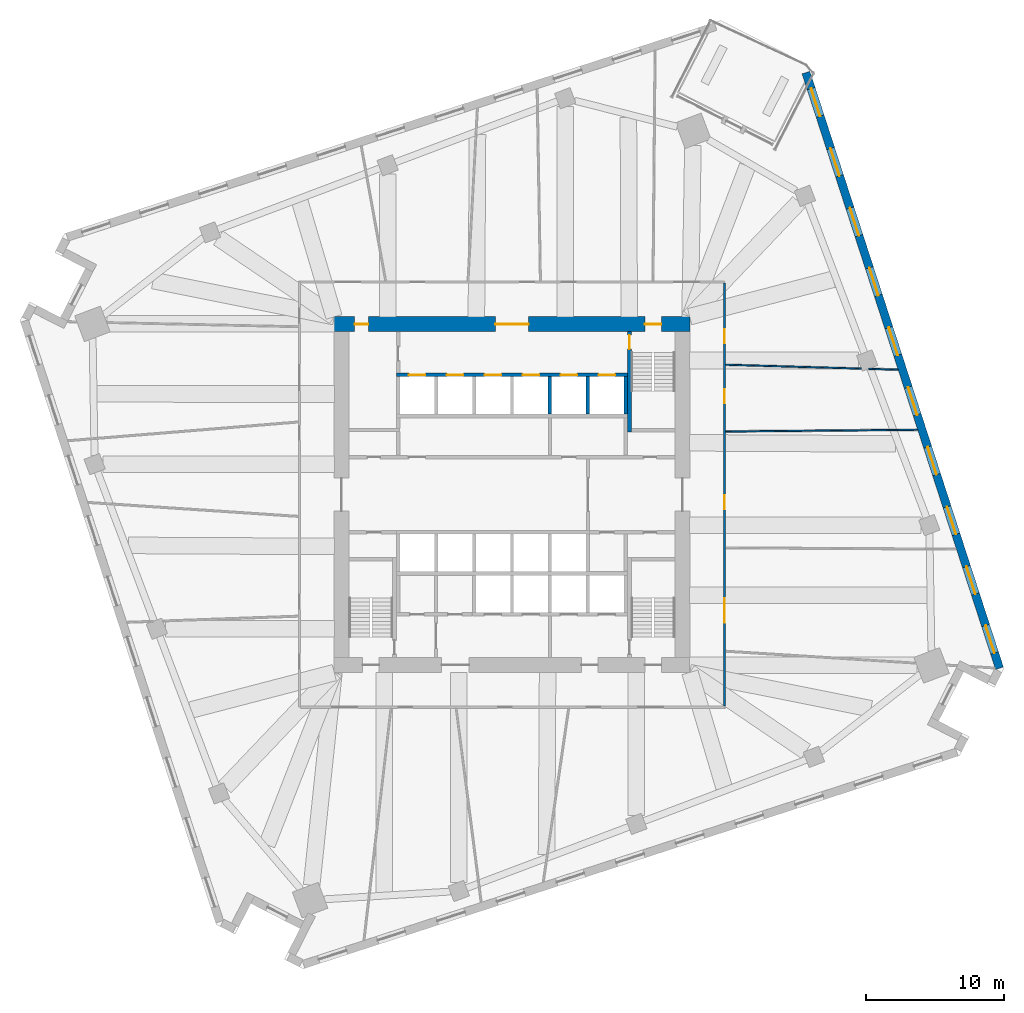
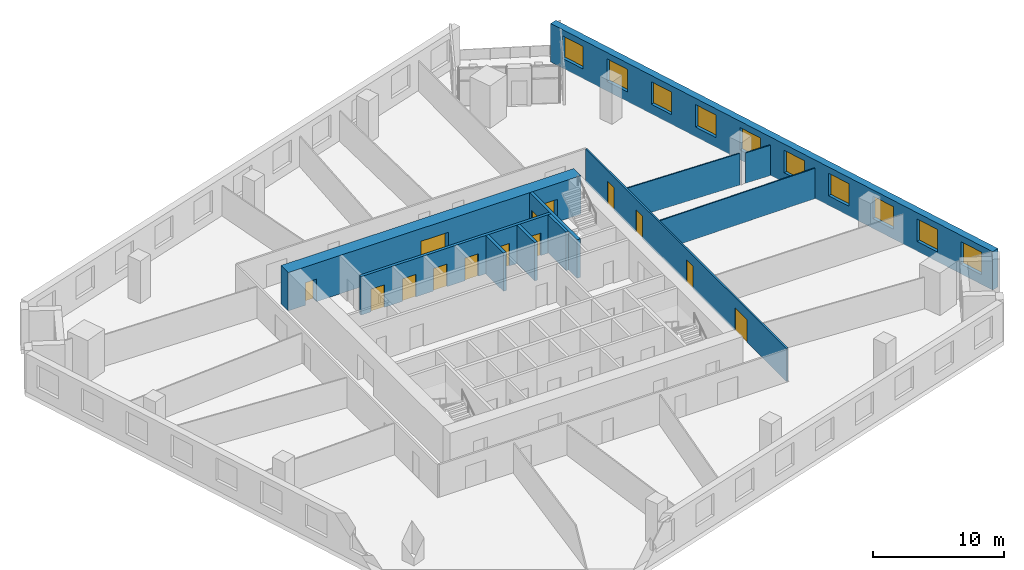
# One storey, part 9 of 12: 14 doors, 11 walls, 10 windows, 24 openings.
"""IFC4 building model written with IfcOpenShell, lengths in metres."""

from ifc_helpers import new_model, si_unit, direction, frame, frame_2d, origin, place, context, subcontext, project, spatial, rectangle, extrude, material, layer, layer_set, type_object, element, fill, save


model = new_model("IFC4")

# Units and contexts
model_context = context("Model", 3, precision=1e-05, world=origin(), true_north=direction((0.0, 1.0)))
body_context = subcontext(model_context, "Body", "Model", "MODEL_VIEW")
ifc_project = project(units=[si_unit("LENGTHUNIT", "METRE"), si_unit("AREAUNIT", "SQUARE_METRE"), si_unit("VOLUMEUNIT", "CUBIC_METRE"), si_unit("PLANEANGLEUNIT", "RADIAN"), si_unit("MASSUNIT", "GRAM", prefix="KILO")], contexts=[model_context])

# Site, building, storey
site_placement = place(None, origin())
site = spatial("IfcSite", under=ifc_project, at=site_placement, CompositionType="ELEMENT")
building_placement = place(site_placement, origin())
building = spatial("IfcBuilding", under=site, at=building_placement, Name="Dilmun Exchange Tower", CompositionType="ELEMENT")
storey_placement = place(building_placement, frame((0.0, 0.0, 90.10009765625)))
storey = spatial("IfcBuildingStorey", under=building, at=storey_placement, Name="L20", CompositionType="ELEMENT", Elevation=90.10009765625)

# Wall, openings, doors
ifc_material_1 = material(Name="Concrete C80/95", Category="concrete")
ifc_layer_1 = layer(ifc_material_1, 1.10009765625)
ifc_layer_set_1 = layer_set([ifc_layer_1], Name="Concrete C80/95")
wall_type_1 = type_object("IfcWallType", Name="Core shear wall 1100 Concrete C80/95", PredefinedType="SHEAR", material=ifc_layer_set_1)
wall_1_placement = place(storey_placement, frame((-12.89990234375, 12.35009765625, 0.0), z_axis=(0.0, 0.0, 1.0), x_axis=(1.0, 0.0, 0.0)))
wall_1 = element("IfcWall", 1, at=wall_1_placement, inside=storey, type_object=wall_type_1, Name="L20 core shear wall N", PredefinedType="SHEAR", context=body_context, shape_type="SweptSolid", body=[
    extrude(rectangle(XDim=25.7998046875, YDim=1.10009765625, at=frame_2d((12.89990234375, 0.0))), origin(), (0.0, 0.0, 1.0), 3.579833984375),
])
opening_1_placement = place(wall_1_placement, frame((11.699951171875, 0.0, 0.0)))
opening_1 = element("IfcOpeningElement", 2, at=opening_1_placement, cuts=wall_1, Name="Opening CD1", PredefinedType="OPENING", context=body_context, shape_type="SweptSolid", body=[
    extrude(rectangle(XDim=2.39990234375, YDim=2.39990234375, at=frame_2d((1.199951171875, 1.199951171875))), frame((0.0, 0.56005859375, 0.0), z_axis=(0.0, -1.0, 0.0), x_axis=(1.0, 0.0, 0.0)), (0.0, 0.0, 1.0), 1.1201171875),
])
opening_2_placement = place(wall_1_placement, frame((22.52490234375, 0.0, 0.0)))
opening_2 = element("IfcOpeningElement", 3, at=opening_2_placement, cuts=wall_1, Name="Opening CD3", PredefinedType="OPENING", context=body_context, shape_type="SweptSolid", body=[
    extrude(rectangle(XDim=1.199951171875, YDim=2.10009765625, at=frame_2d((0.60009765625, 1.050048828125))), frame((0.0, 0.56005859375, 0.0), z_axis=(0.0, -1.0, 0.0), x_axis=(1.0, 0.0, 0.0)), (0.0, 0.0, 1.0), 1.1201171875),
])
opening_3_placement = place(wall_1_placement, frame((1.5, 0.0, 0.0)))
opening_3 = element("IfcOpeningElement", 4, at=opening_3_placement, cuts=wall_1, Name="Opening CD4", PredefinedType="OPENING", context=body_context, shape_type="SweptSolid", body=[
    extrude(rectangle(XDim=1.0, YDim=2.10009765625, at=frame_2d((0.5, 1.050048828125))), frame((0.0, 0.56005859375, 0.0), z_axis=(0.0, -1.0, 0.0), x_axis=(1.0, 0.0, 0.0)), (0.0, 0.0, 1.0), 1.1201171875),
])
ifc_material_2 = material(Name="Fire-rated steel door set", Category="steel")
door_type_1 = type_object("IfcDoorType", Name="Core lobby door 2400x2400", OperationType="DOUBLE_DOOR_DOUBLE_SWING", PredefinedType="DOOR", material=ifc_material_2)
door_1_placement = place(opening_1_placement, origin())
door_1 = element("IfcDoor", 5, at=door_1_placement, inside=storey, type_object=door_type_1, Name="L20 door North lift lobby", OperationType="SINGLE_SWING_LEFT", OverallHeight=2.39990234375, OverallWidth=2.39990234375, PredefinedType="DOOR", context=body_context, shape_type="SweptSolid", body=[
    extrude(rectangle(XDim=2.39990234375, YDim=2.39990234375, at=frame_2d((1.199951171875, 1.199951171875))), frame((0.0, 0.02490234375, 0.0), z_axis=(0.0, -1.0, 0.0), x_axis=(1.0, 0.0, 0.0)), (0.0, 0.0, 1.0), 0.050048828125),
])
fill(opening_1, door_1)
door_type_2 = type_object("IfcDoorType", Name="Core room door 1000x2100", OperationType="SINGLE_SWING_LEFT", PredefinedType="DOOR", material=ifc_material_2)
door_2_placement = place(opening_3_placement, origin())
door_2 = element("IfcDoor", 6, at=door_2_placement, inside=storey, type_object=door_type_2, Name="L20 door North-west core rooms", OperationType="SINGLE_SWING_LEFT", OverallHeight=2.10009765625, OverallWidth=1.0, PredefinedType="DOOR", context=body_context, shape_type="SweptSolid", body=[
    extrude(rectangle(XDim=1.0, YDim=2.10009765625, at=frame_2d((0.5, 1.050048828125))), frame((0.0, 0.02490234375, 0.0), z_axis=(0.0, -1.0, 0.0), x_axis=(1.0, 0.0, 0.0)), (0.0, 0.0, 1.0), 0.050048828125),
])
fill(opening_3, door_2)
door_type_3 = type_object("IfcDoorType", Name="Stair exit door 1200x2100", OperationType="SINGLE_SWING_LEFT", PredefinedType="DOOR", material=ifc_material_2)
door_3_placement = place(opening_2_placement, origin())
door_3 = element("IfcDoor", 7, at=door_3_placement, inside=storey, type_object=door_type_3, Name="L20 door Stair ST1", OperationType="SINGLE_SWING_LEFT", OverallHeight=2.10009765625, OverallWidth=1.199951171875, PredefinedType="DOOR", context=body_context, shape_type="SweptSolid", body=[
    extrude(rectangle(XDim=1.199951171875, YDim=2.10009765625, at=frame_2d((0.60009765625, 1.050048828125))), frame((0.0, 0.02490234375, 0.0), z_axis=(0.0, -1.0, 0.0), x_axis=(1.0, 0.0, 0.0)), (0.0, 0.0, 1.0), 0.050048828125),
])
fill(opening_2, door_3)

ifc_material_3 = material(Name="Corridor wall 150")
ifc_layer_2 = layer(ifc_material_3, 0.14990234375)
ifc_layer_set_2 = layer_set([ifc_layer_2], Name="Corridor wall 150")
wall_type_2 = type_object("IfcWallType", Name="Corridor wall 150", PredefinedType="PARTITIONING", material=ifc_layer_set_2)
wall_2_placement = place(storey_placement, frame((15.39990234375, -15.324951171875, 0.0), z_axis=(0.0, 0.0, 1.0), x_axis=(0.0, 1.0, 0.0)))
wall_2 = element("IfcWall", 8, at=wall_2_placement, inside=storey, type_object=wall_type_2, Name="Corridor wall", PredefinedType="PARTITIONING", context=body_context, shape_type="SweptSolid", body=[
    extrude(rectangle(XDim=30.64990234375, YDim=0.14990234375, at=frame_2d((15.324951171875, 0.0))), origin(), (0.0, 0.0, 1.0), 3.079833984375),
])
opening_4_placement = place(wall_2_placement, frame((26.288330078125, 0.0, 0.0)))
opening_4 = element("IfcOpeningElement", 9, at=opening_4_placement, cuts=wall_2, Name="Opening TF20-D16", PredefinedType="OPENING", context=body_context, shape_type="SweptSolid", body=[
    extrude(rectangle(XDim=1.0, YDim=2.10009765625, at=frame_2d((0.5, 1.050048828125))), frame((0.0, 0.0849609375, 0.0), z_axis=(0.0, -1.0, 0.0), x_axis=(1.0, 0.0, 0.0)), (0.0, 0.0, 1.0), 0.169921875),
])
opening_5_placement = place(wall_2_placement, frame((21.94921875, 0.0, 0.0)))
opening_5 = element("IfcOpeningElement", 10, at=opening_5_placement, cuts=wall_2, Name="Opening TF20-D17", PredefinedType="OPENING", context=body_context, shape_type="SweptSolid", body=[
    extrude(rectangle(XDim=1.0, YDim=2.10009765625, at=frame_2d((0.5, 1.050048828125))), frame((0.0, 0.0849609375, 0.0), z_axis=(0.0, -1.0, 0.0), x_axis=(1.0, 0.0, 0.0)), (0.0, 0.0, 1.0), 0.169921875),
])
opening_6_placement = place(wall_2_placement, frame((14.269775390625, 0.0, 0.0)))
opening_6 = element("IfcOpeningElement", 11, at=opening_6_placement, cuts=wall_2, Name="Opening TF20-D18", PredefinedType="OPENING", context=body_context, shape_type="SweptSolid", body=[
    extrude(rectangle(XDim=1.0, YDim=2.10009765625, at=frame_2d((0.5, 1.050048828125))), frame((0.0, 0.0849609375, 0.0), z_axis=(0.0, -1.0, 0.0), x_axis=(1.0, 0.0, 0.0)), (0.0, 0.0, 1.0), 0.169921875),
])
opening_7_placement = place(wall_2_placement, frame((6.03759765625, 0.0, 0.0)))
opening_7 = element("IfcOpeningElement", 12, at=opening_7_placement, cuts=wall_2, Name="Opening TF20-D19", PredefinedType="OPENING", context=body_context, shape_type="SweptSolid", body=[
    extrude(rectangle(XDim=1.800048828125, YDim=2.10009765625, at=frame_2d((0.89990234375, 1.050048828125))), frame((0.0, 0.0849609375, 0.0), z_axis=(0.0, -1.0, 0.0), x_axis=(1.0, 0.0, 0.0)), (0.0, 0.0, 1.0), 0.169921875),
])
ifc_material_4 = material(Name="Fire door 1000 x 2100")
door_type_4 = type_object("IfcDoorType", Name="Fire door 1000 x 2100", OperationType="NOTDEFINED", PredefinedType="DOOR", material=ifc_material_4)
door_4_placement = place(opening_4_placement, frame((1.0, 0.0, 0.0), z_axis=(0.0, 0.0, 1.0), x_axis=(-1.0, 0.0, 0.0)))
door_4 = element("IfcDoor", 13, at=door_4_placement, inside=storey, type_object=door_type_4, Name="Door TF20-D16", OperationType="SINGLE_SWING_RIGHT", OverallHeight=2.10009765625, OverallWidth=1.0, PredefinedType="DOOR", context=body_context, shape_type="SweptSolid", body=[
    extrude(rectangle(XDim=1.0, YDim=2.10009765625, at=frame_2d((0.5, 1.050048828125))), frame((0.0, 0.02490234375, 0.0), z_axis=(0.0, -1.0, 0.0), x_axis=(1.0, 0.0, 0.0)), (0.0, 0.0, 1.0), 0.050048828125),
])
fill(opening_4, door_4)
door_5_placement = place(opening_5_placement, frame((1.0, 0.0, 0.0), z_axis=(0.0, 0.0, 1.0), x_axis=(-1.0, 0.0, 0.0)))
door_5 = element("IfcDoor", 14, at=door_5_placement, inside=storey, type_object=door_type_4, Name="Door TF20-D17", OperationType="SINGLE_SWING_RIGHT", OverallHeight=2.10009765625, OverallWidth=1.0, PredefinedType="DOOR", context=body_context, shape_type="SweptSolid", body=[
    extrude(rectangle(XDim=1.0, YDim=2.10009765625, at=frame_2d((0.5, 1.050048828125))), frame((0.0, 0.02490234375, 0.0), z_axis=(0.0, -1.0, 0.0), x_axis=(1.0, 0.0, 0.0)), (0.0, 0.0, 1.0), 0.050048828125),
])
fill(opening_5, door_5)
door_6_placement = place(opening_6_placement, frame((1.0, 0.0, 0.0), z_axis=(0.0, 0.0, 1.0), x_axis=(-1.0, 0.0, 0.0)))
door_6 = element("IfcDoor", 15, at=door_6_placement, inside=storey, type_object=door_type_4, Name="Door TF20-D18", OperationType="SINGLE_SWING_RIGHT", OverallHeight=2.10009765625, OverallWidth=1.0, PredefinedType="DOOR", context=body_context, shape_type="SweptSolid", body=[
    extrude(rectangle(XDim=1.0, YDim=2.10009765625, at=frame_2d((0.5, 1.050048828125))), frame((0.0, 0.02490234375, 0.0), z_axis=(0.0, -1.0, 0.0), x_axis=(1.0, 0.0, 0.0)), (0.0, 0.0, 1.0), 0.050048828125),
])
fill(opening_6, door_6)
ifc_material_5 = material(Name="Fire door pair 1800 x 2100")
door_type_5 = type_object("IfcDoorType", Name="Fire door pair 1800 x 2100", OperationType="NOTDEFINED", PredefinedType="DOOR", material=ifc_material_5)
door_7_placement = place(opening_7_placement, frame((1.800048828125, 0.0, 0.0), z_axis=(0.0, 0.0, 1.0), x_axis=(-1.0, 0.0, 0.0)))
door_7 = element("IfcDoor", 16, at=door_7_placement, inside=storey, type_object=door_type_5, Name="Door TF20-D19", OperationType="DOUBLE_DOOR_SINGLE_SWING", OverallHeight=2.10009765625, OverallWidth=1.800048828125, PredefinedType="DOOR", context=body_context, shape_type="SweptSolid", body=[
    extrude(rectangle(XDim=1.800048828125, YDim=2.10009765625, at=frame_2d((0.89990234375, 1.050048828125))), frame((0.0, 0.02490234375, 0.0), z_axis=(0.0, -1.0, 0.0), x_axis=(1.0, 0.0, 0.0)), (0.0, 0.0, 1.0), 0.050048828125),
])
fill(opening_7, door_7)

ifc_material_6 = material(Name="Concrete C40/50", Category="concrete")
ifc_layer_3 = layer(ifc_material_6, 0.25)
ifc_layer_set_3 = layer_set([ifc_layer_3], Name="Concrete C40/50")
wall_type_3 = type_object("IfcWallType", Name="Lift shaft wall 250", PredefinedType="SOLIDWALL", material=ifc_layer_set_3)
wall_3_placement = place(storey_placement, frame((-8.375, 8.675048828125, 0.0), z_axis=(0.0, 0.0, 1.0), x_axis=(1.0, 0.0, 0.0)))
wall_3 = element("IfcWall", 17, at=wall_3_placement, inside=storey, type_object=wall_type_3, Name="L20 lift shaft front wall N2", PredefinedType="SOLIDWALL", context=body_context, shape_type="SweptSolid", body=[
    extrude(rectangle(XDim=16.75, YDim=0.25, at=frame_2d((8.375, 0.0))), origin(), (0.0, 0.0, 1.0), 3.579833984375),
])
opening_8_placement = place(wall_3_placement, frame((0.89990234375, 0.0, 0.0)))
opening_8 = element("IfcOpeningElement", 18, at=opening_8_placement, cuts=wall_3, Name="Opening LD", PredefinedType="OPENING", context=body_context, shape_type="SweptSolid", body=[
    extrude(rectangle(XDim=1.199951171875, YDim=2.10009765625, at=frame_2d((0.60009765625, 1.050048828125))), frame((0.0, 0.135009765625, 0.0), z_axis=(0.0, -1.0, 0.0), x_axis=(1.0, 0.0, 0.0)), (0.0, 0.0, 1.0), 0.27001953125),
])
opening_9_placement = place(wall_3_placement, frame((3.64990234375, 0.0, 0.0)))
opening_9 = element("IfcOpeningElement", 19, at=opening_9_placement, cuts=wall_3, Name="Opening LD", PredefinedType="OPENING", context=body_context, shape_type="SweptSolid", body=[
    extrude(rectangle(XDim=1.199951171875, YDim=2.10009765625, at=frame_2d((0.60009765625, 1.050048828125))), frame((0.0, 0.135009765625, 0.0), z_axis=(0.0, -1.0, 0.0), x_axis=(1.0, 0.0, 0.0)), (0.0, 0.0, 1.0), 0.27001953125),
])
opening_10_placement = place(wall_3_placement, frame((6.39990234375, 0.0, 0.0)))
opening_10 = element("IfcOpeningElement", 20, at=opening_10_placement, cuts=wall_3, Name="Opening LD", PredefinedType="OPENING", context=body_context, shape_type="SweptSolid", body=[
    extrude(rectangle(XDim=1.199951171875, YDim=2.10009765625, at=frame_2d((0.60009765625, 1.050048828125))), frame((0.0, 0.135009765625, 0.0), z_axis=(0.0, -1.0, 0.0), x_axis=(1.0, 0.0, 0.0)), (0.0, 0.0, 1.0), 0.27001953125),
])
opening_11_placement = place(wall_3_placement, frame((9.14990234375, 0.0, 0.0)))
opening_11 = element("IfcOpeningElement", 21, at=opening_11_placement, cuts=wall_3, Name="Opening LD", PredefinedType="OPENING", context=body_context, shape_type="SweptSolid", body=[
    extrude(rectangle(XDim=1.199951171875, YDim=2.10009765625, at=frame_2d((0.60009765625, 1.050048828125))), frame((0.0, 0.135009765625, 0.0), z_axis=(0.0, -1.0, 0.0), x_axis=(1.0, 0.0, 0.0)), (0.0, 0.0, 1.0), 0.27001953125),
])
opening_12_placement = place(wall_3_placement, frame((11.89990234375, 0.0, 0.0)))
opening_12 = element("IfcOpeningElement", 22, at=opening_12_placement, cuts=wall_3, Name="Opening LD", PredefinedType="OPENING", context=body_context, shape_type="SweptSolid", body=[
    extrude(rectangle(XDim=1.199951171875, YDim=2.10009765625, at=frame_2d((0.60009765625, 1.050048828125))), frame((0.0, 0.135009765625, 0.0), z_axis=(0.0, -1.0, 0.0), x_axis=(1.0, 0.0, 0.0)), (0.0, 0.0, 1.0), 0.27001953125),
])
opening_13_placement = place(wall_3_placement, frame((14.64990234375, 0.0, 0.0)))
opening_13 = element("IfcOpeningElement", 23, at=opening_13_placement, cuts=wall_3, Name="Opening LD", PredefinedType="OPENING", context=body_context, shape_type="SweptSolid", body=[
    extrude(rectangle(XDim=1.199951171875, YDim=2.10009765625, at=frame_2d((0.60009765625, 1.050048828125))), frame((0.0, 0.135009765625, 0.0), z_axis=(0.0, -1.0, 0.0), x_axis=(1.0, 0.0, 0.0)), (0.0, 0.0, 1.0), 0.27001953125),
])
door_type_6 = type_object("IfcDoorType", Name="Lift landing door 1200x2100", OperationType="DOUBLE_DOOR_SLIDING", PredefinedType="DOOR", material=ifc_material_2)
door_8_placement = place(opening_8_placement, origin())
door_8 = element("IfcDoor", 24, at=door_8_placement, inside=storey, type_object=door_type_6, Name="L20 landing door LR1", OperationType="DOUBLE_DOOR_SLIDING", OverallHeight=2.10009765625, OverallWidth=1.199951171875, PredefinedType="DOOR", context=body_context, shape_type="SweptSolid", body=[
    extrude(rectangle(XDim=1.199951171875, YDim=2.10009765625, at=frame_2d((0.60009765625, 1.050048828125))), frame((0.0, 0.02490234375, 0.0), z_axis=(0.0, -1.0, 0.0), x_axis=(1.0, 0.0, 0.0)), (0.0, 0.0, 1.0), 0.050048828125),
])
fill(opening_8, door_8)
door_9_placement = place(opening_9_placement, origin())
door_9 = element("IfcDoor", 25, at=door_9_placement, inside=storey, type_object=door_type_6, Name="L20 landing door LR2", OperationType="DOUBLE_DOOR_SLIDING", OverallHeight=2.10009765625, OverallWidth=1.199951171875, PredefinedType="DOOR", context=body_context, shape_type="SweptSolid", body=[
    extrude(rectangle(XDim=1.199951171875, YDim=2.10009765625, at=frame_2d((0.60009765625, 1.050048828125))), frame((0.0, 0.02490234375, 0.0), z_axis=(0.0, -1.0, 0.0), x_axis=(1.0, 0.0, 0.0)), (0.0, 0.0, 1.0), 0.050048828125),
])
fill(opening_9, door_9)
door_10_placement = place(opening_10_placement, origin())
door_10 = element("IfcDoor", 26, at=door_10_placement, inside=storey, type_object=door_type_6, Name="L20 landing door LR3", OperationType="DOUBLE_DOOR_SLIDING", OverallHeight=2.10009765625, OverallWidth=1.199951171875, PredefinedType="DOOR", context=body_context, shape_type="SweptSolid", body=[
    extrude(rectangle(XDim=1.199951171875, YDim=2.10009765625, at=frame_2d((0.60009765625, 1.050048828125))), frame((0.0, 0.02490234375, 0.0), z_axis=(0.0, -1.0, 0.0), x_axis=(1.0, 0.0, 0.0)), (0.0, 0.0, 1.0), 0.050048828125),
])
fill(opening_10, door_10)
door_11_placement = place(opening_11_placement, origin())
door_11 = element("IfcDoor", 27, at=door_11_placement, inside=storey, type_object=door_type_6, Name="L20 landing door LR4", OperationType="DOUBLE_DOOR_SLIDING", OverallHeight=2.10009765625, OverallWidth=1.199951171875, PredefinedType="DOOR", context=body_context, shape_type="SweptSolid", body=[
    extrude(rectangle(XDim=1.199951171875, YDim=2.10009765625, at=frame_2d((0.60009765625, 1.050048828125))), frame((0.0, 0.02490234375, 0.0), z_axis=(0.0, -1.0, 0.0), x_axis=(1.0, 0.0, 0.0)), (0.0, 0.0, 1.0), 0.050048828125),
])
fill(opening_11, door_11)
door_12_placement = place(opening_12_placement, origin())
door_12 = element("IfcDoor", 28, at=door_12_placement, inside=storey, type_object=door_type_6, Name="L20 landing door LR5", OperationType="DOUBLE_DOOR_SLIDING", OverallHeight=2.10009765625, OverallWidth=1.199951171875, PredefinedType="DOOR", context=body_context, shape_type="SweptSolid", body=[
    extrude(rectangle(XDim=1.199951171875, YDim=2.10009765625, at=frame_2d((0.60009765625, 1.050048828125))), frame((0.0, 0.02490234375, 0.0), z_axis=(0.0, -1.0, 0.0), x_axis=(1.0, 0.0, 0.0)), (0.0, 0.0, 1.0), 0.050048828125),
])
fill(opening_12, door_12)
door_13_placement = place(opening_13_placement, origin())
door_13 = element("IfcDoor", 29, at=door_13_placement, inside=storey, type_object=door_type_6, Name="L20 landing door LR6", OperationType="DOUBLE_DOOR_SLIDING", OverallHeight=2.10009765625, OverallWidth=1.199951171875, PredefinedType="DOOR", context=body_context, shape_type="SweptSolid", body=[
    extrude(rectangle(XDim=1.199951171875, YDim=2.10009765625, at=frame_2d((0.60009765625, 1.050048828125))), frame((0.0, 0.02490234375, 0.0), z_axis=(0.0, -1.0, 0.0), x_axis=(1.0, 0.0, 0.0)), (0.0, 0.0, 1.0), 0.050048828125),
])
fill(opening_13, door_13)

# Walls
for number, where, z_axis, x_axis, name in (
    (30, (2.75, 5.85009765625, 0.0), (0.0, 0.0, 1.0), (0.0, 1.0, 0.0), "L20 lift shaft divider N24"),
    (31, (5.5, 5.85009765625, 0.0), (0.0, 0.0, 1.0), (0.0, 1.0, 0.0), "L20 lift shaft divider N25"),
    (32, (8.25, 5.85009765625, 0.0), (0.0, 0.0, 1.0), (0.0, 1.0, 0.0), "L20 lift shaft divider N26"),
):
    element("IfcWall", number, at=place(storey_placement, frame(where, z_axis=z_axis, x_axis=x_axis)), inside=storey, type_object=wall_type_3, Name=name, PredefinedType="SOLIDWALL", context=body_context, shape_type="SweptSolid", body=[
        extrude(rectangle(XDim=2.699951171875, YDim=0.25, at=frame_2d((1.35009765625, 0.0))), origin(), (0.0, 0.0, 1.0), 3.579833984375),
    ])
ifc_material_7 = material(Name="Partition 100")
ifc_layer_4 = layer(ifc_material_7, 0.10009765625)
ifc_layer_set_4 = layer_set([ifc_layer_4], Name="Partition 100")
wall_type_4 = type_object("IfcWallType", Name="Partition 100", PredefinedType="PARTITIONING", material=ifc_layer_set_4)
wall_4_placement = place(storey_placement, frame((15.475341796875, 4.57470703125, 0.0), z_axis=(0.0, 0.0, 1.0), x_axis=(0.99995993254, 0.008951721355, 0.0)))
element("IfcWall", 33, at=wall_4_placement, inside=storey, type_object=wall_type_4, Name="Partition", PredefinedType="PARTITIONING", context=body_context, shape_type="SweptSolid", body=[
    extrude(rectangle(XDim=13.9091796875, YDim=0.10009765625, at=frame_2d((6.95458984375, 0.0))), origin(), (0.0, 0.0, 1.0), 2.829833984375),
])
wall_5_placement = place(storey_placement, frame((15.476318359375, 9.411865234375, 0.0), z_axis=(0.0, 0.0, 1.0), x_axis=(0.999583865111, -0.028846084817, 0.0)))
element("IfcWall", 34, at=wall_5_placement, inside=storey, type_object=wall_type_4, Name="Partition", PredefinedType="PARTITIONING", context=body_context, shape_type="SweptSolid", body=[
    extrude(rectangle(XDim=9.834716796875, YDim=0.10009765625, at=frame_2d((4.91748046875, 0.0))), origin(), (0.0, 0.0, 1.0), 2.9599609375),
])
wall_6_placement = place(storey_placement, frame((25.82568359375, 9.11328125, 0.0), z_axis=(0.0, 0.0, 1.0), x_axis=(0.999585375356, -0.028793703742, 0.0)))
element("IfcWall", 35, at=wall_6_placement, inside=storey, type_object=wall_type_4, Name="Partition", PredefinedType="PARTITIONING", context=body_context, shape_type="SweptSolid", body=[
    extrude(rectangle(XDim=2.145263671875, YDim=0.10009765625, at=frame_2d((1.07275390625, 0.0))), origin(), (0.0, 0.0, 1.0), 2.829833984375),
])

# Wall, openings, windows
ifc_material_8 = material(Name="Precast concrete C50/60", Category="concrete")
ifc_layer_5 = layer(ifc_material_8, 0.60009765625)
ifc_layer_set_5 = layer_set([ifc_layer_5], Name="Precast concrete C50/60")
wall_type_5 = type_object("IfcWallType", Name="Precast stone-clad wall 600", PredefinedType="STANDARD", material=ifc_layer_set_5)
wall_7_placement = place(storey_placement, frame((35.3154296875, -12.578369140625, 0.0), z_axis=(0.0, 0.0, 1.0), x_axis=(-0.30901806374, 0.951056168837, 0.0)))
wall_7 = element("IfcWall", 36, at=wall_7_placement, inside=storey, type_object=wall_type_5, Name="Facade wall L20-21", PredefinedType="STANDARD", context=body_context, shape_type="SweptSolid", body=[
    extrude(rectangle(XDim=45.3759765625, YDim=0.60009765625, at=frame_2d((22.68798828125, 0.0))), origin(), (0.0, 0.0, 1.0), 3.579833984375),
])
opening_14_placement = place(wall_7_placement, frame((1.162841796875, 0.0, 0.89990234375)))
opening_14 = element("IfcOpeningElement", 37, at=opening_14_placement, cuts=wall_7, Name="Opening W210-210", PredefinedType="OPENING", context=body_context, shape_type="SweptSolid", body=[
    extrude(rectangle(XDim=2.10009765625, YDim=2.10009765625, at=frame_2d((1.050048828125, 1.050048828125))), frame((0.0, 0.31005859375, 0.0), z_axis=(0.0, -1.0, 0.0), x_axis=(1.0, 0.0, 0.0)), (0.0, 0.0, 1.0), 0.6201171875),
])
opening_15_placement = place(wall_7_placement, frame((5.650634765625, 0.0, 0.89990234375)))
opening_15 = element("IfcOpeningElement", 38, at=opening_15_placement, cuts=wall_7, Name="Opening W210-210", PredefinedType="OPENING", context=body_context, shape_type="SweptSolid", body=[
    extrude(rectangle(XDim=2.10009765625, YDim=2.10009765625, at=frame_2d((1.050048828125, 1.050048828125))), frame((0.0, 0.31005859375, 0.0), z_axis=(0.0, -1.0, 0.0), x_axis=(1.0, 0.0, 0.0)), (0.0, 0.0, 1.0), 0.6201171875),
])
opening_16_placement = place(wall_7_placement, frame((10.20068359375, 0.0, 0.89990234375)))
opening_16 = element("IfcOpeningElement", 39, at=opening_16_placement, cuts=wall_7, Name="Opening W210-210", PredefinedType="OPENING", context=body_context, shape_type="SweptSolid", body=[
    extrude(rectangle(XDim=2.10009765625, YDim=2.10009765625, at=frame_2d((1.050048828125, 1.050048828125))), frame((0.0, 0.31005859375, 0.0), z_axis=(0.0, -1.0, 0.0), x_axis=(1.0, 0.0, 0.0)), (0.0, 0.0, 1.0), 0.6201171875),
])
opening_17_placement = place(wall_7_placement, frame((14.750732421875, 0.0, 0.89990234375)))
opening_17 = element("IfcOpeningElement", 40, at=opening_17_placement, cuts=wall_7, Name="Opening W210-210", PredefinedType="OPENING", context=body_context, shape_type="SweptSolid", body=[
    extrude(rectangle(XDim=2.10009765625, YDim=2.10009765625, at=frame_2d((1.050048828125, 1.050048828125))), frame((0.0, 0.31005859375, 0.0), z_axis=(0.0, -1.0, 0.0), x_axis=(1.0, 0.0, 0.0)), (0.0, 0.0, 1.0), 0.6201171875),
])
opening_18_placement = place(wall_7_placement, frame((19.30078125, 0.0, 0.89990234375)))
opening_18 = element("IfcOpeningElement", 41, at=opening_18_placement, cuts=wall_7, Name="Opening W210-210", PredefinedType="OPENING", context=body_context, shape_type="SweptSolid", body=[
    extrude(rectangle(XDim=2.10009765625, YDim=2.10009765625, at=frame_2d((1.050048828125, 1.050048828125))), frame((0.0, 0.31005859375, 0.0), z_axis=(0.0, -1.0, 0.0), x_axis=(1.0, 0.0, 0.0)), (0.0, 0.0, 1.0), 0.6201171875),
])
opening_19_placement = place(wall_7_placement, frame((23.8505859375, 0.0, 0.89990234375)))
opening_19 = element("IfcOpeningElement", 42, at=opening_19_placement, cuts=wall_7, Name="Opening W210-210", PredefinedType="OPENING", context=body_context, shape_type="SweptSolid", body=[
    extrude(rectangle(XDim=2.10009765625, YDim=2.10009765625, at=frame_2d((1.050048828125, 1.050048828125))), frame((0.0, 0.31005859375, 0.0), z_axis=(0.0, -1.0, 0.0), x_axis=(1.0, 0.0, 0.0)), (0.0, 0.0, 1.0), 0.6201171875),
])
opening_20_placement = place(wall_7_placement, frame((28.400634765625, 0.0, 0.89990234375)))
opening_20 = element("IfcOpeningElement", 43, at=opening_20_placement, cuts=wall_7, Name="Opening W210-210", PredefinedType="OPENING", context=body_context, shape_type="SweptSolid", body=[
    extrude(rectangle(XDim=2.10009765625, YDim=2.10009765625, at=frame_2d((1.050048828125, 1.050048828125))), frame((0.0, 0.31005859375, 0.0), z_axis=(0.0, -1.0, 0.0), x_axis=(1.0, 0.0, 0.0)), (0.0, 0.0, 1.0), 0.6201171875),
])
opening_21_placement = place(wall_7_placement, frame((32.95068359375, 0.0, 0.89990234375)))
opening_21 = element("IfcOpeningElement", 44, at=opening_21_placement, cuts=wall_7, Name="Opening W210-210", PredefinedType="OPENING", context=body_context, shape_type="SweptSolid", body=[
    extrude(rectangle(XDim=2.10009765625, YDim=2.10009765625, at=frame_2d((1.050048828125, 1.050048828125))), frame((0.0, 0.31005859375, 0.0), z_axis=(0.0, -1.0, 0.0), x_axis=(1.0, 0.0, 0.0)), (0.0, 0.0, 1.0), 0.6201171875),
])
opening_22_placement = place(wall_7_placement, frame((37.500732421875, 0.0, 0.89990234375)))
opening_22 = element("IfcOpeningElement", 45, at=opening_22_placement, cuts=wall_7, Name="Opening W210-210", PredefinedType="OPENING", context=body_context, shape_type="SweptSolid", body=[
    extrude(rectangle(XDim=2.10009765625, YDim=2.10009765625, at=frame_2d((1.050048828125, 1.050048828125))), frame((0.0, 0.31005859375, 0.0), z_axis=(0.0, -1.0, 0.0), x_axis=(1.0, 0.0, 0.0)), (0.0, 0.0, 1.0), 0.6201171875),
])
opening_23_placement = place(wall_7_placement, frame((42.05078125, 0.0, 0.89990234375)))
opening_23 = element("IfcOpeningElement", 46, at=opening_23_placement, cuts=wall_7, Name="Opening W210-210", PredefinedType="OPENING", context=body_context, shape_type="SweptSolid", body=[
    extrude(rectangle(XDim=2.10009765625, YDim=2.10009765625, at=frame_2d((1.050048828125, 1.050048828125))), frame((0.0, 0.31005859375, 0.0), z_axis=(0.0, -1.0, 0.0), x_axis=(1.0, 0.0, 0.0)), (0.0, 0.0, 1.0), 0.6201171875),
])
ifc_material_9 = material(Name="Clear low-emissivity glass in aluminium frame", Category="aluminium")
window_type = type_object("IfcWindowType", Name="Punched window 2100 x 2100", PartitioningType="DOUBLE_PANEL_VERTICAL", PredefinedType="WINDOW", material=ifc_material_9)
window_1_placement = place(opening_14_placement, origin())
window_1 = element("IfcWindow", 47, at=window_1_placement, inside=storey, type_object=window_type, Name="Window 22.1", OverallHeight=2.10009765625, OverallWidth=2.10009765625, PartitioningType="SINGLE_PANEL", PredefinedType="WINDOW", context=body_context, shape_type="SweptSolid", body=[
    extrude(rectangle(XDim=2.10009765625, YDim=2.10009765625, at=frame_2d((1.050048828125, 1.050048828125))), frame((0.0, 0.030029296875, 0.0), z_axis=(0.0, -1.0, 0.0), x_axis=(1.0, 0.0, 0.0)), (0.0, 0.0, 1.0), 0.06005859375),
])
fill(opening_14, window_1)
window_2_placement = place(opening_15_placement, origin())
window_2 = element("IfcWindow", 48, at=window_2_placement, inside=storey, type_object=window_type, Name="Window 22.2", OverallHeight=2.10009765625, OverallWidth=2.10009765625, PartitioningType="SINGLE_PANEL", PredefinedType="WINDOW", context=body_context, shape_type="SweptSolid", body=[
    extrude(rectangle(XDim=2.10009765625, YDim=2.10009765625, at=frame_2d((1.050048828125, 1.050048828125))), frame((0.0, 0.030029296875, 0.0), z_axis=(0.0, -1.0, 0.0), x_axis=(1.0, 0.0, 0.0)), (0.0, 0.0, 1.0), 0.06005859375),
])
fill(opening_15, window_2)
window_3_placement = place(opening_16_placement, origin())
window_3 = element("IfcWindow", 49, at=window_3_placement, inside=storey, type_object=window_type, Name="Window 22.3", OverallHeight=2.10009765625, OverallWidth=2.10009765625, PartitioningType="SINGLE_PANEL", PredefinedType="WINDOW", context=body_context, shape_type="SweptSolid", body=[
    extrude(rectangle(XDim=2.10009765625, YDim=2.10009765625, at=frame_2d((1.050048828125, 1.050048828125))), frame((0.0, 0.030029296875, 0.0), z_axis=(0.0, -1.0, 0.0), x_axis=(1.0, 0.0, 0.0)), (0.0, 0.0, 1.0), 0.06005859375),
])
fill(opening_16, window_3)
window_4_placement = place(opening_17_placement, origin())
window_4 = element("IfcWindow", 50, at=window_4_placement, inside=storey, type_object=window_type, Name="Window 22.4", OverallHeight=2.10009765625, OverallWidth=2.10009765625, PartitioningType="SINGLE_PANEL", PredefinedType="WINDOW", context=body_context, shape_type="SweptSolid", body=[
    extrude(rectangle(XDim=2.10009765625, YDim=2.10009765625, at=frame_2d((1.050048828125, 1.050048828125))), frame((0.0, 0.030029296875, 0.0), z_axis=(0.0, -1.0, 0.0), x_axis=(1.0, 0.0, 0.0)), (0.0, 0.0, 1.0), 0.06005859375),
])
fill(opening_17, window_4)
window_5_placement = place(opening_18_placement, origin())
window_5 = element("IfcWindow", 51, at=window_5_placement, inside=storey, type_object=window_type, Name="Window 22.5", OverallHeight=2.10009765625, OverallWidth=2.10009765625, PartitioningType="SINGLE_PANEL", PredefinedType="WINDOW", context=body_context, shape_type="SweptSolid", body=[
    extrude(rectangle(XDim=2.10009765625, YDim=2.10009765625, at=frame_2d((1.050048828125, 1.050048828125))), frame((0.0, 0.030029296875, 0.0), z_axis=(0.0, -1.0, 0.0), x_axis=(1.0, 0.0, 0.0)), (0.0, 0.0, 1.0), 0.06005859375),
])
fill(opening_18, window_5)
window_6_placement = place(opening_19_placement, origin())
window_6 = element("IfcWindow", 52, at=window_6_placement, inside=storey, type_object=window_type, Name="Window 22.6", OverallHeight=2.10009765625, OverallWidth=2.10009765625, PartitioningType="SINGLE_PANEL", PredefinedType="WINDOW", context=body_context, shape_type="SweptSolid", body=[
    extrude(rectangle(XDim=2.10009765625, YDim=2.10009765625, at=frame_2d((1.050048828125, 1.050048828125))), frame((0.0, 0.030029296875, 0.0), z_axis=(0.0, -1.0, 0.0), x_axis=(1.0, 0.0, 0.0)), (0.0, 0.0, 1.0), 0.06005859375),
])
fill(opening_19, window_6)
window_7_placement = place(opening_20_placement, origin())
window_7 = element("IfcWindow", 53, at=window_7_placement, inside=storey, type_object=window_type, Name="Window 22.7", OverallHeight=2.10009765625, OverallWidth=2.10009765625, PartitioningType="SINGLE_PANEL", PredefinedType="WINDOW", context=body_context, shape_type="SweptSolid", body=[
    extrude(rectangle(XDim=2.10009765625, YDim=2.10009765625, at=frame_2d((1.050048828125, 1.050048828125))), frame((0.0, 0.030029296875, 0.0), z_axis=(0.0, -1.0, 0.0), x_axis=(1.0, 0.0, 0.0)), (0.0, 0.0, 1.0), 0.06005859375),
])
fill(opening_20, window_7)
window_8_placement = place(opening_21_placement, origin())
window_8 = element("IfcWindow", 54, at=window_8_placement, inside=storey, type_object=window_type, Name="Window 22.8", OverallHeight=2.10009765625, OverallWidth=2.10009765625, PartitioningType="SINGLE_PANEL", PredefinedType="WINDOW", context=body_context, shape_type="SweptSolid", body=[
    extrude(rectangle(XDim=2.10009765625, YDim=2.10009765625, at=frame_2d((1.050048828125, 1.050048828125))), frame((0.0, 0.030029296875, 0.0), z_axis=(0.0, -1.0, 0.0), x_axis=(1.0, 0.0, 0.0)), (0.0, 0.0, 1.0), 0.06005859375),
])
fill(opening_21, window_8)
window_9_placement = place(opening_22_placement, origin())
window_9 = element("IfcWindow", 55, at=window_9_placement, inside=storey, type_object=window_type, Name="Window 22.9", OverallHeight=2.10009765625, OverallWidth=2.10009765625, PartitioningType="SINGLE_PANEL", PredefinedType="WINDOW", context=body_context, shape_type="SweptSolid", body=[
    extrude(rectangle(XDim=2.10009765625, YDim=2.10009765625, at=frame_2d((1.050048828125, 1.050048828125))), frame((0.0, 0.030029296875, 0.0), z_axis=(0.0, -1.0, 0.0), x_axis=(1.0, 0.0, 0.0)), (0.0, 0.0, 1.0), 0.06005859375),
])
fill(opening_22, window_9)
window_10_placement = place(opening_23_placement, origin())
window_10 = element("IfcWindow", 56, at=window_10_placement, inside=storey, type_object=window_type, Name="Window 22.10", OverallHeight=2.10009765625, OverallWidth=2.10009765625, PartitioningType="SINGLE_PANEL", PredefinedType="WINDOW", context=body_context, shape_type="SweptSolid", body=[
    extrude(rectangle(XDim=2.10009765625, YDim=2.10009765625, at=frame_2d((1.050048828125, 1.050048828125))), frame((0.0, 0.030029296875, 0.0), z_axis=(0.0, -1.0, 0.0), x_axis=(1.0, 0.0, 0.0)), (0.0, 0.0, 1.0), 0.06005859375),
])
fill(opening_23, window_10)

# Wall, opening, door
ifc_layer_6 = layer(ifc_material_6, 0.27490234375)
ifc_layer_set_6 = layer_set([ifc_layer_6], Name="Concrete C40/50")
wall_type_6 = type_object("IfcWallType", Name="Stair wall 275", PredefinedType="SOLIDWALL", material=ifc_layer_set_6)
wall_8_placement = place(storey_placement, frame((8.512451171875, 4.550048828125, 0.0), z_axis=(0.0, 0.0, 1.0), x_axis=(0.0, 1.0, 0.0)))
wall_8 = element("IfcWall", 57, at=wall_8_placement, inside=storey, type_object=wall_type_6, Name="L20 ST1 wall to lift block", PredefinedType="SOLIDWALL", context=body_context, shape_type="SweptSolid", body=[
    extrude(rectangle(XDim=7.25, YDim=0.27490234375, at=frame_2d((3.625, 0.0))), origin(), (0.0, 0.0, 1.0), 3.579833984375),
])
opening_24_placement = place(wall_8_placement, frame((6.0, 0.0, 0.0)))
opening_24 = element("IfcOpeningElement", 58, at=opening_24_placement, cuts=wall_8, Name="Opening CD4", PredefinedType="OPENING", context=body_context, shape_type="SweptSolid", body=[
    extrude(rectangle(XDim=1.0, YDim=2.10009765625, at=frame_2d((0.5, 1.050048828125))), frame((0.0, 0.1474609375, 0.0), z_axis=(0.0, -1.0, 0.0), x_axis=(1.0, 0.0, 0.0)), (0.0, 0.0, 1.0), 0.294921875),
])
door_14_placement = place(opening_24_placement, origin())
door_14 = element("IfcDoor", 59, at=door_14_placement, inside=storey, type_object=door_type_2, Name="L20 door ST1 from lobby", OperationType="SINGLE_SWING_LEFT", OverallHeight=2.10009765625, OverallWidth=1.0, PredefinedType="DOOR", context=body_context, shape_type="SweptSolid", body=[
    extrude(rectangle(XDim=1.0, YDim=2.10009765625, at=frame_2d((0.5, 1.050048828125))), frame((0.0, 0.02490234375, 0.0), z_axis=(0.0, -1.0, 0.0), x_axis=(1.0, 0.0, 0.0)), (0.0, 0.0, 1.0), 0.050048828125),
])
fill(opening_24, door_14)

save(model, "model.ifc")
